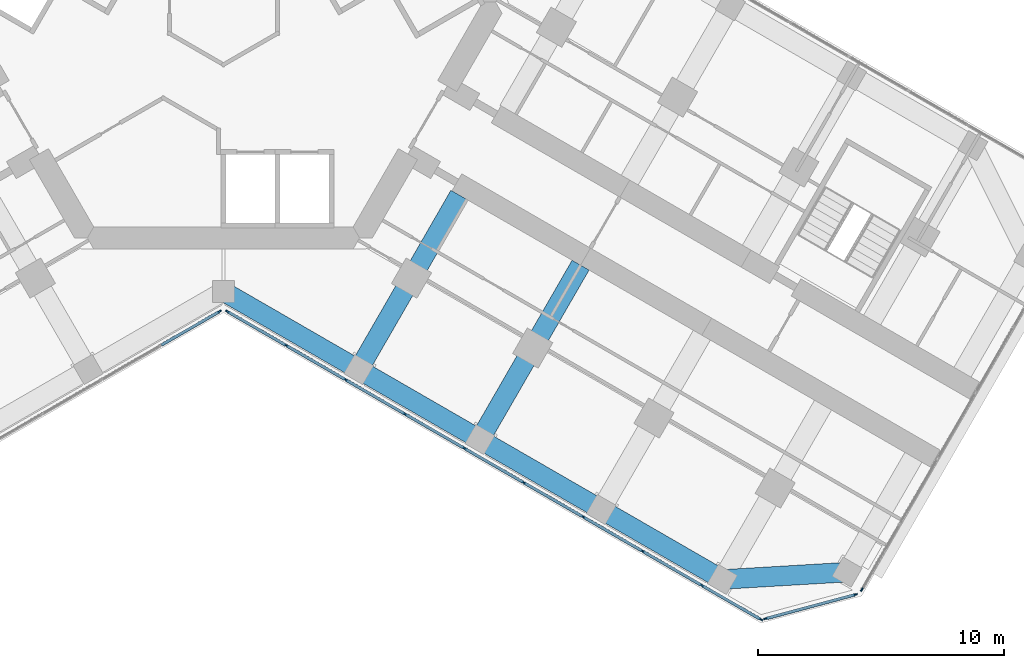
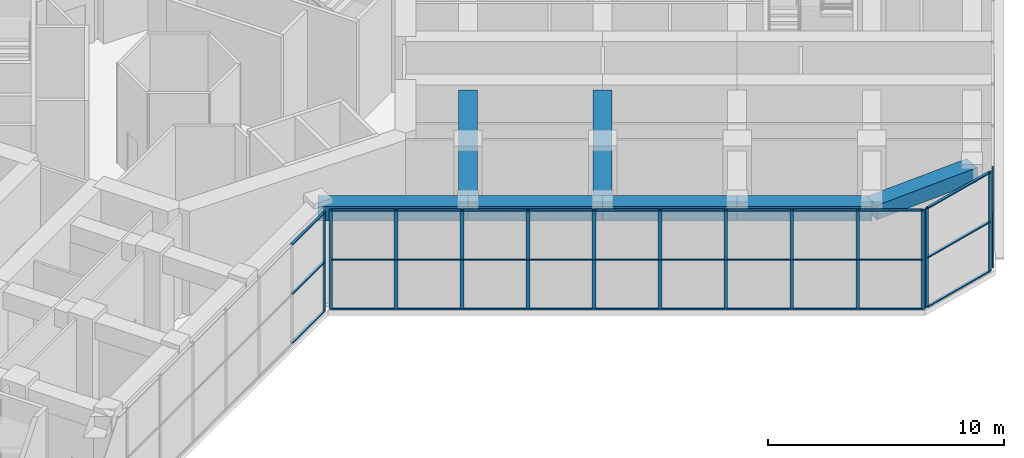
# One storey, part 5 of 20: 47 members, 7 beams, 4 elements without a shape of their own.
"""IFC4 building model written with IfcOpenShell, lengths in metres."""

import ifcopenshell
import ifcopenshell.guid

model = None  # the IFC model being written
_history = None  # IfcOwnerHistory: only IFC2X3 demands one
_inside = {}  # id of a spatial element -> (the spatial element, [elements in it])
_under = {}  # id of a project, library or spatial element -> (it, [spatial elements below it])
_declared = {}  # id of a project -> (the project, [libraries it declares])
_typed = {}  # id of a type object -> (the type object, [elements of that type])
_made_of = {}  # id of a material, layer set ... -> (it, [elements and type objects made of it])


def new_model(schema):
    """Start an empty IFC model of exactly this schema.

    Asked for "IFC4X3", IfcOpenShell would pick the latest addendum, in which some entities
    have other attributes; the version numbers below select the first issue.
    IFC2X3 requires an IfcOwnerHistory on every rooted entity: one is made here for all.
    """
    global model, _history
    if schema == "IFC4X3":
        model = ifcopenshell.file(schema_version=(4, 3, 0, 0))
    else:
        model = ifcopenshell.file(schema=schema)
    _inside.clear()
    _under.clear()
    _declared.clear()
    _typed.clear()
    _made_of.clear()
    _history = None
    if model.schema == "IFC2X3":
        org = make("IfcOrganization", Name="unknown")
        user = make(
            "IfcPersonAndOrganization",
            ThePerson=make("IfcPerson", FamilyName="unknown"),
            TheOrganization=org,
        )
        app = make(
            "IfcApplication",
            ApplicationDeveloper=org,
            Version="unknown",
            ApplicationFullName="unknown",
            ApplicationIdentifier="unknown",
        )
        _history = make(
            "IfcOwnerHistory",
            OwningUser=user,
            OwningApplication=app,
            ChangeAction="ADDED",
            CreationDate=0,
        )
    return model


def make(cls, **values):
    """One entity of the class cls with the attributes given. An attribute that is None is left unset."""
    return model.create_entity(
        cls, **{name: value for name, value in values.items() if value is not None}
    )


def rooted(cls, **values):
    """An entity with a GlobalId (a new one), such as an element, a storey or a relation."""
    return make(cls, GlobalId=ifcopenshell.guid.new(), OwnerHistory=_history, **values)


def si_unit(unit_type, name, prefix=None):
    """IfcSIUnit, for example si_unit("LENGTHUNIT", "METRE", prefix="MILLI")."""
    return make("IfcSIUnit", UnitType=unit_type, Prefix=prefix, Name=name)


def assignment(units):
    """IfcUnitAssignment: the units of a project."""
    return None if units is None else make("IfcUnitAssignment", Units=units)


def point(xyz):
    """IfcCartesianPoint."""
    return None if xyz is None else make("IfcCartesianPoint", Coordinates=xyz)


def direction(xyz):
    """IfcDirection."""
    return None if xyz is None else make("IfcDirection", DirectionRatios=xyz)


def frame(location, z_axis=None, x_axis=None):
    """IfcAxis2Placement3D, a coordinate frame: its origin and axes. An axis left out is left unset."""
    return make(
        "IfcAxis2Placement3D",
        Location=point(location),
        Axis=direction(z_axis),
        RefDirection=direction(x_axis),
    )


def frame_2d(location, x_axis=None):
    """IfcAxis2Placement2D, a coordinate frame in the plane: its origin and x axis."""
    return make(
        "IfcAxis2Placement2D", Location=point(location), RefDirection=direction(x_axis)
    )


def origin():
    """The frame at (0, 0, 0) with its axes left unset."""
    return frame((0.0, 0.0, 0.0))


def origin_2d():
    """The frame at (0, 0) in the plane with its x axis left unset."""
    return frame_2d((0.0, 0.0))


def place(relative_to, where):
    """IfcLocalPlacement: puts the frame where relative to a parent placement (None: the world)."""
    return make(
        "IfcLocalPlacement", PlacementRelTo=relative_to, RelativePlacement=where
    )


def context(
    kind, dimensions, precision=None, world=None, true_north=None, identifier=None
):
    """IfcGeometricRepresentationContext, for example the 3D "Model" context."""
    return make(
        "IfcGeometricRepresentationContext",
        ContextIdentifier=identifier,
        ContextType=kind,
        CoordinateSpaceDimension=dimensions,
        Precision=precision,
        WorldCoordinateSystem=world,
        TrueNorth=true_north,
    )


def subcontext(parent, identifier, kind, view, scale=None):
    """IfcGeometricRepresentationSubContext, for example "Body" below "Model"."""
    return make(
        "IfcGeometricRepresentationSubContext",
        ContextIdentifier=identifier,
        ContextType=kind,
        ParentContext=parent,
        TargetScale=scale,
        TargetView=view,
    )


def project(units=None, contexts=None):
    """IfcProject with its units and contexts."""
    return rooted(
        "IfcProject",
        Name="project",
        RepresentationContexts=contexts,
        UnitsInContext=assignment(units),
    )


def spatial(cls, under=None, at=None, **own):
    """A site, building, storey or space (cls), placed at a placement, below another one or the project."""
    s = rooted(cls, ObjectPlacement=at, **own)
    if under is not None:
        _under.setdefault(under.id(), (under, []))[1].append(s)
    return s


def profile(cls, at=None, kind="AREA", **sizes):
    """A parametric profile (cls). Its sizes go by their IFC names, for example OverallWidth=200.0."""
    return make(cls, ProfileType=kind, Position=at, **sizes)


def rectangle(**sizes):
    """IfcRectangleProfileDef."""
    return profile("IfcRectangleProfileDef", **sizes)


def extrude(swept, where, along, depth):
    """IfcExtrudedAreaSolid: the profile swept, set in the frame where, extruded along a direction by depth."""
    return make(
        "IfcExtrudedAreaSolid",
        SweptArea=swept,
        Position=where,
        ExtrudedDirection=direction(along),
        Depth=depth,
    )


def shape(context_of_items, identifier, shape_type, items):
    """IfcShapeRepresentation: the items that make up one representation, for example the "Body"."""
    return make(
        "IfcShapeRepresentation",
        ContextOfItems=context_of_items,
        RepresentationIdentifier=identifier,
        RepresentationType=shape_type,
        Items=items,
    )


def material(Name=None, Category=None):
    """IfcMaterial."""
    return make("IfcMaterial", Name=Name, Category=Category)


def material_profile(
    of_material, cross_section, Name=None, Category=None, Priority=None
):
    """IfcMaterialProfile: a cross section and its material."""
    return make(
        "IfcMaterialProfile",
        Name=Name,
        Material=of_material,
        Profile=cross_section,
        Priority=Priority,
        Category=Category,
    )


def profile_set(profiles, Name=None, composite=None):
    """IfcMaterialProfileSet."""
    return make(
        "IfcMaterialProfileSet",
        Name=Name,
        MaterialProfiles=profiles,
        CompositeProfile=composite,
    )


def made_of(thing, what):
    """Note that an element or type object is made of a material, layer set ...; save() writes the relation."""
    if what is not None:
        _made_of.setdefault(what.id(), (what, []))[1].append(thing)
    return thing


def type_object(cls, material=None, **own):
    """A type object (cls), such as IfcWallType, which elements share."""
    return made_of(rooted(cls, **own), material)


def element(
    cls,
    number,
    at=None,
    inside=None,
    cuts=None,
    type_object=None,
    material=None,
    context=None,
    identifier="Body",
    shape_type=None,
    held_by="IfcProductDefinitionShape",
    body=None,
    shapes=None,
    **own,
):
    """One element of the class cls, such as IfcWall. Its Tag is "e" and its number.

    at: its placement. inside: the storey or other place that contains it. cuts: it is an
    opening in that element (IfcRelVoidsElement). A single representation is given by context,
    identifier, shape_type and body (its items); several are given by shapes. held_by: the class
    of the entity that holds the representations. save() writes the other relations.
    """
    e = rooted(cls, Tag="e%d" % number, ObjectPlacement=at, **own)
    if body is not None:
        shapes = [shape(context, identifier, shape_type, body)]
    if shapes is not None:
        e.Representation = make(held_by, Representations=shapes)
    if inside is not None:
        _inside.setdefault(inside.id(), (inside, []))[1].append(e)
    if cuts is not None:
        rooted(
            "IfcRelVoidsElement", RelatingBuildingElement=cuts, RelatedOpeningElement=e
        )
    if type_object is not None:
        _typed.setdefault(type_object.id(), (type_object, []))[1].append(e)
    return made_of(e, material)


def aggregate(whole, parts):
    """IfcRelAggregates: a whole, such as a stair, and the parts it consists of."""
    return rooted("IfcRelAggregates", RelatingObject=whole, RelatedObjects=parts)


def save(model, path):
    """Write the relations noted so far, then the file.

    IfcRelAggregates (storeys below a building ...), IfcRelContainedInSpatialStructure (elements
    in a storey), IfcRelDefinesByType, IfcRelAssociatesMaterial and IfcRelDeclares: one each for
    every whole, place, type object, material and project.
    """
    for whole, parts in _under.values():
        aggregate(whole, parts)
    for where, things in _inside.values():
        rooted(
            "IfcRelContainedInSpatialStructure",
            RelatedElements=things,
            RelatingStructure=where,
        )
    for kind, things in _typed.values():
        rooted("IfcRelDefinesByType", RelatedObjects=things, RelatingType=kind)
    for what, things in _made_of.values():
        rooted("IfcRelAssociatesMaterial", RelatedObjects=things, RelatingMaterial=what)
    for by, libraries in _declared.values():
        rooted("IfcRelDeclares", RelatingContext=by, RelatedDefinitions=libraries)
    model.write(path)


model = new_model("IFC4")

# Units and contexts
model_context = context("Model", 3, precision=1e-05, world=origin(), true_north=direction((0.0, 1.0)))
body_context = subcontext(model_context, "Body", "Model", "MODEL_VIEW")
ifc_project = project(units=[si_unit("LENGTHUNIT", "METRE"), si_unit("AREAUNIT", "SQUARE_METRE"), si_unit("VOLUMEUNIT", "CUBIC_METRE"), si_unit("PLANEANGLEUNIT", "RADIAN"), si_unit("MASSUNIT", "GRAM", prefix="KILO")], contexts=[model_context])

# Site, building, storey
site_placement = place(None, origin())
site = spatial("IfcSite", under=ifc_project, at=site_placement, CompositionType="ELEMENT")
building_placement = place(site_placement, origin())
building = spatial("IfcBuilding", under=site, at=building_placement, Name="Kosmar Iwan School Tower", CompositionType="ELEMENT")
storey_placement = place(building_placement, frame((0.0, 0.0, 152.60009765625)))
storey = spatial("IfcBuildingStorey", under=building, at=storey_placement, Name="L38", CompositionType="ELEMENT", Elevation=152.60009765625)

# Curtain wall, member
ifc_material_1 = material(Name="Dark glass in black aluminium frame", Category="aluminium")
curtain_wall_type_1 = type_object("IfcCurtainWallType", Name="Winter garden curtain wall", PredefinedType="USERDEFINED", material=ifc_material_1)
curtain_wall_1_placement = place(storey_placement, origin())
curtain_wall_1 = element("IfcCurtainWall", 1, at=curtain_wall_1_placement, inside=storey, type_object=curtain_wall_type_1, Name="Curtain wall L38-F00", ObjectType="WINTER GARDEN CURTAIN WALL", PredefinedType="USERDEFINED")
ifc_material_2 = material(Name="Black anodised aluminium", Category="aluminium")
ifc_material_profile_1 = material_profile(ifc_material_2, rectangle(XDim=0.06005859375, YDim=0.159912109375, at=origin_2d()), Name="MULLION 60x160")
ifc_profile_set_1 = profile_set([ifc_material_profile_1], Name="Black anodised aluminium")
member_type_1 = type_object("IfcMemberType", Name="Mullion 60x160", PredefinedType="MULLION", material=ifc_profile_set_1)
member_1_placement = place(storey_placement, frame((-0.163818359375, -12.59423828125, 0.0), z_axis=(0.0, 0.0, 1.0), x_axis=(0.500000014888, -0.866025395189, 0.0)))
member_1 = element("IfcMember", 2, at=member_1_placement, type_object=member_type_1, Name="CW7 mullion 1", PredefinedType="MULLION", context=body_context, shape_type="SweptSolid", body=[
    extrude(rectangle(XDim=0.06005859375, YDim=0.159912109375, at=origin_2d()), origin(), (0.0, 0.0, 1.0), 5.14990234375),
])

# Curtain wall, members
curtain_wall_2_placement = place(storey_placement, origin())
curtain_wall_2 = element("IfcCurtainWall", 3, at=curtain_wall_2_placement, inside=storey, type_object=curtain_wall_type_1, Name="Curtain wall L38-F01", ObjectType="WINTER GARDEN CURTAIN WALL", PredefinedType="USERDEFINED")
member_2_placement = place(storey_placement, frame((0.163818359375, -12.59423828125, 0.0), z_axis=(0.0, 0.0, 1.0), x_axis=(0.500000014888, 0.866025395189, 0.0)))
member_2 = element("IfcMember", 4, at=member_2_placement, type_object=member_type_1, Name="CW7 mullion 1", PredefinedType="MULLION", context=body_context, shape_type="SweptSolid", body=[
    extrude(rectangle(XDim=0.06005859375, YDim=0.159912109375, at=origin_2d()), origin(), (0.0, 0.0, 1.0), 5.14990234375),
])
member_3_placement = place(storey_placement, frame((2.556884765625, -13.975830078125, 0.0), z_axis=(0.0, 0.0, 1.0), x_axis=(0.500000014888, 0.866025395189, 0.0)))
member_3 = element("IfcMember", 5, at=member_3_placement, type_object=member_type_1, Name="CW7 mullion 2", PredefinedType="MULLION", context=body_context, shape_type="SweptSolid", body=[
    extrude(rectangle(XDim=0.06005859375, YDim=0.159912109375, at=origin_2d()), origin(), (0.0, 0.0, 1.0), 5.14990234375),
])
member_4_placement = place(storey_placement, frame((4.975830078125, -15.37255859375, 0.0), z_axis=(0.0, 0.0, 1.0), x_axis=(0.500000014888, 0.866025395189, 0.0)))
member_4 = element("IfcMember", 6, at=member_4_placement, type_object=member_type_1, Name="CW7 mullion 3", PredefinedType="MULLION", context=body_context, shape_type="SweptSolid", body=[
    extrude(rectangle(XDim=0.06005859375, YDim=0.159912109375, at=origin_2d()), origin(), (0.0, 0.0, 1.0), 5.14990234375),
])
member_5_placement = place(storey_placement, frame((7.39501953125, -16.76904296875, 0.0), z_axis=(0.0, 0.0, 1.0), x_axis=(0.500000014888, 0.866025395189, 0.0)))
member_5 = element("IfcMember", 7, at=member_5_placement, type_object=member_type_1, Name="CW7 mullion 4", PredefinedType="MULLION", context=body_context, shape_type="SweptSolid", body=[
    extrude(rectangle(XDim=0.06005859375, YDim=0.159912109375, at=origin_2d()), origin(), (0.0, 0.0, 1.0), 5.14990234375),
])
member_6_placement = place(storey_placement, frame((9.81396484375, -18.165771484375, 0.0), z_axis=(0.0, 0.0, 1.0), x_axis=(0.500000014888, 0.866025395189, 0.0)))
member_6 = element("IfcMember", 8, at=member_6_placement, type_object=member_type_1, Name="CW7 mullion 5", PredefinedType="MULLION", context=body_context, shape_type="SweptSolid", body=[
    extrude(rectangle(XDim=0.06005859375, YDim=0.159912109375, at=origin_2d()), origin(), (0.0, 0.0, 1.0), 5.14990234375),
])
member_7_placement = place(storey_placement, frame((12.23291015625, -19.562255859375, 0.0), z_axis=(0.0, 0.0, 1.0), x_axis=(0.500000014888, 0.866025395189, 0.0)))
member_7 = element("IfcMember", 9, at=member_7_placement, type_object=member_type_1, Name="CW7 mullion 6", PredefinedType="MULLION", context=body_context, shape_type="SweptSolid", body=[
    extrude(rectangle(XDim=0.06005859375, YDim=0.159912109375, at=origin_2d()), origin(), (0.0, 0.0, 1.0), 5.14990234375),
])
member_8_placement = place(storey_placement, frame((14.652099609375, -20.958984375, 0.0), z_axis=(0.0, 0.0, 1.0), x_axis=(0.500000014888, 0.866025395189, 0.0)))
member_8 = element("IfcMember", 10, at=member_8_placement, type_object=member_type_1, Name="CW7 mullion 7", PredefinedType="MULLION", context=body_context, shape_type="SweptSolid", body=[
    extrude(rectangle(XDim=0.06005859375, YDim=0.159912109375, at=origin_2d()), origin(), (0.0, 0.0, 1.0), 5.14990234375),
])
member_9_placement = place(storey_placement, frame((17.071044921875, -22.35546875, 0.0), z_axis=(0.0, 0.0, 1.0), x_axis=(0.500000014888, 0.866025395189, 0.0)))
member_9 = element("IfcMember", 11, at=member_9_placement, type_object=member_type_1, Name="CW7 mullion 8", PredefinedType="MULLION", context=body_context, shape_type="SweptSolid", body=[
    extrude(rectangle(XDim=0.06005859375, YDim=0.159912109375, at=origin_2d()), origin(), (0.0, 0.0, 1.0), 5.14990234375),
])
member_10_placement = place(storey_placement, frame((19.489990234375, -23.752197265625, 0.0), z_axis=(0.0, 0.0, 1.0), x_axis=(0.500000014888, 0.866025395189, 0.0)))
member_10 = element("IfcMember", 12, at=member_10_placement, type_object=member_type_1, Name="CW7 mullion 9", PredefinedType="MULLION", context=body_context, shape_type="SweptSolid", body=[
    extrude(rectangle(XDim=0.06005859375, YDim=0.159912109375, at=origin_2d()), origin(), (0.0, 0.0, 1.0), 5.14990234375),
])
member_11_placement = place(storey_placement, frame((21.883056640625, -25.1337890625, 0.0), z_axis=(0.0, 0.0, 1.0), x_axis=(0.500000014888, 0.866025395189, 0.0)))
member_11 = element("IfcMember", 13, at=member_11_placement, type_object=member_type_1, Name="CW7 mullion 10", PredefinedType="MULLION", context=body_context, shape_type="SweptSolid", body=[
    extrude(rectangle(XDim=0.06005859375, YDim=0.159912109375, at=origin_2d()), origin(), (0.0, 0.0, 1.0), 5.14990234375),
])

ifc_material_3 = material(Name="Dark glass in black aluminium frame", Category="aluminium")
curtain_wall_type_2 = type_object("IfcCurtainWallType", Name="Chamfer curtain wall dark glass", PredefinedType="USERDEFINED", material=ifc_material_3)
curtain_wall_3_placement = place(storey_placement, origin())
curtain_wall_3 = element("IfcCurtainWall", 14, at=curtain_wall_3_placement, inside=storey, type_object=curtain_wall_type_2, Name="Curtain wall L38-F02", ObjectType="FACETED CURTAIN WALL", PredefinedType="USERDEFINED")
member_12_placement = place(storey_placement, frame((22.0830078125, -25.102294921875, 0.0), z_axis=(0.0, 0.0, 1.0), x_axis=(-0.258818861462, 0.965925875495, 0.0)))
member_12 = element("IfcMember", 15, at=member_12_placement, type_object=member_type_1, Name="CW2 mullion 1", PredefinedType="MULLION", context=body_context, shape_type="SweptSolid", body=[
    extrude(rectangle(XDim=0.06005859375, YDim=0.159912109375, at=origin_2d()), origin(), (0.0, 0.0, 1.0), 5.14990234375),
])
member_13_placement = place(storey_placement, frame((25.733154296875, -24.124267578125, 0.0), z_axis=(0.0, 0.0, 1.0), x_axis=(-0.258818861462, 0.965925875495, 0.0)))
member_13 = element("IfcMember", 16, at=member_13_placement, type_object=member_type_1, Name="CW2 mullion 2", PredefinedType="MULLION", context=body_context, shape_type="SweptSolid", body=[
    extrude(rectangle(XDim=0.06005859375, YDim=0.159912109375, at=origin_2d()), origin(), (0.0, 0.0, 1.0), 5.14990234375),
])

# Curtain wall, member
ifc_material_4 = material(Name="Dark glass in black aluminium frame", Category="aluminium")
curtain_wall_type_3 = type_object("IfcCurtainWallType", Name="Tower curtain wall dark glass", PredefinedType="USERDEFINED", material=ifc_material_4)
curtain_wall_4_placement = place(storey_placement, origin())
curtain_wall_4 = element("IfcCurtainWall", 17, at=curtain_wall_4_placement, inside=storey, type_object=curtain_wall_type_3, Name="Curtain wall L38-F03", ObjectType="UNITISED CURTAIN WALL", PredefinedType="USERDEFINED")
member_14_placement = place(storey_placement, frame((25.9970703125, -23.921630859375, 0.0), z_axis=(0.0, 0.0, 1.0), x_axis=(-0.866025405329, 0.499999997325, 0.0)))
member_14 = element("IfcMember", 18, at=member_14_placement, type_object=member_type_1, Name="CW1 mullion 1", PredefinedType="MULLION", context=body_context, shape_type="SweptSolid", body=[
    extrude(rectangle(XDim=0.06005859375, YDim=0.159912109375, at=origin_2d()), origin(), (0.0, 0.0, 1.0), 5.14990234375),
])
aggregate(curtain_wall_4, [member_14])

# Beams
ifc_material_5 = material(Name="Concrete C50/60", Category="concrete")
ifc_material_profile_2 = material_profile(ifc_material_5, rectangle(XDim=0.800048828125, YDim=0.75, at=origin_2d()), Name="RC 800x750")
ifc_profile_set_2 = profile_set([ifc_material_profile_2], Name="Concrete C50/60")
beam_type_1 = type_object("IfcBeamType", Name="RC edge beam 800x750", PredefinedType="BEAM", material=ifc_profile_set_2)
beam_1_placement = place(storey_placement, frame((0.0, -11.77783203125, 4.77490234375), z_axis=(0.866014293216, -0.500019243575, 0.0), x_axis=(0.500019243575, 0.866014293216, 0.0)))
element("IfcBeam", 19, at=beam_1_placement, inside=storey, type_object=beam_type_1, Name="Edge beam CR1", PredefinedType="BEAM", context=body_context, shape_type="SweptSolid", body=[
    extrude(rectangle(XDim=0.800048828125, YDim=0.75, at=origin_2d()), origin(), (0.0, 0.0, 1.0), 6.361083984375),
])
beam_2_placement = place(storey_placement, frame((5.5087890625, -14.95849609375, 4.77490234375), z_axis=(0.866033658841, -0.49998570155, 0.0), x_axis=(0.49998570155, 0.866033658841, 0.0)))
element("IfcBeam", 20, at=beam_2_placement, inside=storey, type_object=beam_type_1, Name="Edge beam CR2", PredefinedType="BEAM", context=body_context, shape_type="SweptSolid", body=[
    extrude(rectangle(XDim=0.800048828125, YDim=0.75, at=origin_2d()), origin(), (0.0, 0.0, 1.0), 5.699951171875),
])
beam_3_placement = place(storey_placement, frame((10.445068359375, -17.808349609375, 4.77490234375), z_axis=(0.866025820012, -0.499999279071, 0.0), x_axis=(0.499999279071, 0.866025820012, 0.0)))
element("IfcBeam", 21, at=beam_3_placement, inside=storey, type_object=beam_type_1, Name="Edge beam CR3", PredefinedType="BEAM", context=body_context, shape_type="SweptSolid", body=[
    extrude(rectangle(XDim=0.800048828125, YDim=0.75, at=origin_2d()), origin(), (0.0, 0.0, 1.0), 5.7001953125),
])
beam_4_placement = place(storey_placement, frame((15.381591796875, -20.658447265625, 4.77490234375), z_axis=(0.866015111908, -0.50001782563, 0.0), x_axis=(0.50001782563, 0.866015111908, 0.0)))
element("IfcBeam", 22, at=beam_4_placement, inside=storey, type_object=beam_type_1, Name="Edge beam CR4", PredefinedType="BEAM", context=body_context, shape_type="SweptSolid", body=[
    extrude(rectangle(XDim=0.800048828125, YDim=0.75, at=origin_2d()), origin(), (0.0, 0.0, 1.0), 5.699951171875),
])
ifc_material_6 = material(Name="Concrete C50/60", Category="concrete")
ifc_material_profile_3 = material_profile(ifc_material_6, rectangle(XDim=0.800048828125, YDim=0.75, at=origin_2d()), Name="RC 800x750")
ifc_profile_set_3 = profile_set([ifc_material_profile_3], Name="Concrete C50/60")
beam_type_2 = type_object("IfcBeamType", Name="RC tip beam 800x750", PredefinedType="BEAM", material=ifc_profile_set_3)
beam_5_placement = place(storey_placement, frame((20.31787109375, -23.508544921875, 4.77490234375), z_axis=(0.998260616478, 0.058955420358, 0.0), x_axis=(-0.058955420358, 0.998260616478, 0.0)))
element("IfcBeam", 23, at=beam_5_placement, inside=storey, type_object=beam_type_2, Name="Tip beam CR", PredefinedType="BEAM", context=body_context, shape_type="SweptSolid", body=[
    extrude(rectangle(XDim=0.800048828125, YDim=0.75, at=origin_2d()), origin(), (0.0, 0.0, 1.0), 5.08935546875),
])
ifc_material_7 = material(Name="Concrete C50/60", Category="concrete")
ifc_material_profile_4 = material_profile(ifc_material_7, rectangle(XDim=0.800048828125, YDim=0.89990234375, at=origin_2d()), Name="RC 800x900")
ifc_profile_set_4 = profile_set([ifc_material_profile_4], Name="Concrete C50/60")
beam_type_3 = type_object("IfcBeamType", Name="RC transverse beam 800x900", PredefinedType="BEAM", material=ifc_profile_set_4)
beam_6_placement = place(storey_placement, frame((5.5087890625, -14.95849609375, 4.699951171875), z_axis=(0.500000789788, 0.8660249478, 0.0), x_axis=(-0.8660249478, 0.500000789788, 0.0)))
element("IfcBeam", 24, at=beam_6_placement, inside=storey, type_object=beam_type_3, Name="Transverse beam CR1", PredefinedType="BEAM", context=body_context, shape_type="SweptSolid", body=[
    extrude(rectangle(XDim=0.800048828125, YDim=0.89990234375, at=origin_2d()), origin(), (0.0, 0.0, 1.0), 8.2001953125),
])
beam_7_placement = place(storey_placement, frame((10.445068359375, -17.808349609375, 4.699951171875), z_axis=(0.500013681986, 0.866017504342, 0.0), x_axis=(-0.866017504342, 0.500013681986, 0.0)))
element("IfcBeam", 25, at=beam_7_placement, inside=storey, type_object=beam_type_3, Name="Transverse beam CR2", PredefinedType="BEAM", context=body_context, shape_type="SweptSolid", body=[
    extrude(rectangle(XDim=0.800048828125, YDim=0.89990234375, at=origin_2d()), origin(), (0.0, 0.0, 1.0), 8.199951171875),
])

# Member
ifc_material_8 = material(Name="Black anodised aluminium", Category="aluminium")
ifc_material_profile_5 = material_profile(ifc_material_8, rectangle(XDim=0.1201171875, YDim=0.06005859375, at=origin_2d()), Name="TRANSOM 60x120")
ifc_profile_set_5 = profile_set([ifc_material_profile_5], Name="Black anodised aluminium")
member_type_2 = type_object("IfcMemberType", Name="Transom 60x120", PredefinedType="USERDEFINED", material=ifc_profile_set_5)
member_15_placement = place(storey_placement, frame((-0.189697265625, -12.609130859375, 0.02978515625), z_axis=(-0.865994576166, -0.500053391201, 0.0), x_axis=(0.500053391201, -0.865994576166, 0.0)))
member_15 = element("IfcMember", 26, at=member_15_placement, type_object=member_type_2, Name="CW7 transom 1.1", ObjectType="TRANSOM", PredefinedType="USERDEFINED", context=body_context, shape_type="SweptSolid", body=[
    extrude(rectangle(XDim=0.1201171875, YDim=0.06005859375, at=origin_2d()), origin(), (0.0, 0.0, 1.0), 2.703369140625),
])

member_16_placement = place(storey_placement, frame((-0.189697265625, -12.609130859375, 2.574951171875), z_axis=(-0.865994576166, -0.500053391201, 0.0), x_axis=(0.500053391201, -0.865994576166, 0.0)))
member_16 = element("IfcMember", 27, at=member_16_placement, type_object=member_type_2, Name="CW7 transom 1.2", ObjectType="TRANSOM", PredefinedType="USERDEFINED", context=body_context, shape_type="SweptSolid", body=[
    extrude(rectangle(XDim=0.1201171875, YDim=0.06005859375, at=origin_2d()), origin(), (0.0, 0.0, 1.0), 2.703369140625),
])

member_17_placement = place(storey_placement, frame((-0.189697265625, -12.609130859375, 5.119873046875), z_axis=(-0.865994576166, -0.500053391201, 0.0), x_axis=(0.500053391201, -0.865994576166, 0.0)))
member_17 = element("IfcMember", 28, at=member_17_placement, type_object=member_type_2, Name="CW7 transom 1.3", ObjectType="TRANSOM", PredefinedType="USERDEFINED", context=body_context, shape_type="SweptSolid", body=[
    extrude(rectangle(XDim=0.1201171875, YDim=0.06005859375, at=origin_2d()), origin(), (0.0, 0.0, 1.0), 2.703369140625),
])

aggregate(curtain_wall_1, [member_1, member_15, member_16, member_17])

member_18_placement = place(storey_placement, frame((0.189697265625, -12.609130859375, 0.02978515625), z_axis=(0.865994576166, -0.500053391201, 0.0), x_axis=(0.500053391201, 0.865994576166, 0.0)))
member_18 = element("IfcMember", 29, at=member_18_placement, type_object=member_type_2, Name="CW7 transom 1.1", ObjectType="TRANSOM", PredefinedType="USERDEFINED", context=body_context, shape_type="SweptSolid", body=[
    extrude(rectangle(XDim=0.1201171875, YDim=0.06005859375, at=origin_2d()), origin(), (0.0, 0.0, 1.0), 2.703369140625),
])

member_19_placement = place(storey_placement, frame((0.189697265625, -12.609130859375, 2.574951171875), z_axis=(0.865994576166, -0.500053391201, 0.0), x_axis=(0.500053391201, 0.865994576166, 0.0)))
member_19 = element("IfcMember", 30, at=member_19_placement, type_object=member_type_2, Name="CW7 transom 1.2", ObjectType="TRANSOM", PredefinedType="USERDEFINED", context=body_context, shape_type="SweptSolid", body=[
    extrude(rectangle(XDim=0.1201171875, YDim=0.06005859375, at=origin_2d()), origin(), (0.0, 0.0, 1.0), 2.703369140625),
])

member_20_placement = place(storey_placement, frame((0.189697265625, -12.609130859375, 5.119873046875), z_axis=(0.865994576166, -0.500053391201, 0.0), x_axis=(0.500053391201, 0.865994576166, 0.0)))
member_20 = element("IfcMember", 31, at=member_20_placement, type_object=member_type_2, Name="CW7 transom 1.3", ObjectType="TRANSOM", PredefinedType="USERDEFINED", context=body_context, shape_type="SweptSolid", body=[
    extrude(rectangle(XDim=0.1201171875, YDim=0.06005859375, at=origin_2d()), origin(), (0.0, 0.0, 1.0), 2.703369140625),
])

member_21_placement = place(storey_placement, frame((2.582763671875, -13.99072265625, 0.02978515625), z_axis=(0.8660249478, -0.500000789788, 0.0), x_axis=(0.500000789788, 0.8660249478, 0.0)))
member_21 = element("IfcMember", 32, at=member_21_placement, type_object=member_type_2, Name="CW7 transom 2.1", ObjectType="TRANSOM", PredefinedType="USERDEFINED", context=body_context, shape_type="SweptSolid", body=[
    extrude(rectangle(XDim=0.1201171875, YDim=0.06005859375, at=origin_2d()), origin(), (0.0, 0.0, 1.0), 2.7333984375),
])

member_22_placement = place(storey_placement, frame((2.582763671875, -13.99072265625, 2.574951171875), z_axis=(0.8660249478, -0.500000789788, 0.0), x_axis=(0.500000789788, 0.8660249478, 0.0)))
member_22 = element("IfcMember", 33, at=member_22_placement, type_object=member_type_2, Name="CW7 transom 2.2", ObjectType="TRANSOM", PredefinedType="USERDEFINED", context=body_context, shape_type="SweptSolid", body=[
    extrude(rectangle(XDim=0.1201171875, YDim=0.06005859375, at=origin_2d()), origin(), (0.0, 0.0, 1.0), 2.7333984375),
])

member_23_placement = place(storey_placement, frame((2.582763671875, -13.99072265625, 5.119873046875), z_axis=(0.8660249478, -0.500000789788, 0.0), x_axis=(0.500000789788, 0.8660249478, 0.0)))
member_23 = element("IfcMember", 34, at=member_23_placement, type_object=member_type_2, Name="CW7 transom 2.3", ObjectType="TRANSOM", PredefinedType="USERDEFINED", context=body_context, shape_type="SweptSolid", body=[
    extrude(rectangle(XDim=0.1201171875, YDim=0.06005859375, at=origin_2d()), origin(), (0.0, 0.0, 1.0), 2.7333984375),
])

member_24_placement = place(storey_placement, frame((5.001953125, -15.387451171875, 0.02978515625), z_axis=(0.866002615699, -0.500039468044, 0.0), x_axis=(0.500039468044, 0.866002615699, 0.0)))
member_24 = element("IfcMember", 35, at=member_24_placement, type_object=member_type_2, Name="CW7 transom 3.1", ObjectType="TRANSOM", PredefinedType="USERDEFINED", context=body_context, shape_type="SweptSolid", body=[
    extrude(rectangle(XDim=0.1201171875, YDim=0.06005859375, at=origin_2d()), origin(), (0.0, 0.0, 1.0), 2.733154296875),
])

member_25_placement = place(storey_placement, frame((5.001953125, -15.387451171875, 2.574951171875), z_axis=(0.866002615699, -0.500039468044, 0.0), x_axis=(0.500039468044, 0.866002615699, 0.0)))
member_25 = element("IfcMember", 36, at=member_25_placement, type_object=member_type_2, Name="CW7 transom 3.2", ObjectType="TRANSOM", PredefinedType="USERDEFINED", context=body_context, shape_type="SweptSolid", body=[
    extrude(rectangle(XDim=0.1201171875, YDim=0.06005859375, at=origin_2d()), origin(), (0.0, 0.0, 1.0), 2.733154296875),
])

member_26_placement = place(storey_placement, frame((5.001953125, -15.387451171875, 5.119873046875), z_axis=(0.866002615699, -0.500039468044, 0.0), x_axis=(0.500039468044, 0.866002615699, 0.0)))
member_26 = element("IfcMember", 37, at=member_26_placement, type_object=member_type_2, Name="CW7 transom 3.3", ObjectType="TRANSOM", PredefinedType="USERDEFINED", context=body_context, shape_type="SweptSolid", body=[
    extrude(rectangle(XDim=0.1201171875, YDim=0.06005859375, at=origin_2d()), origin(), (0.0, 0.0, 1.0), 2.733154296875),
])

member_27_placement = place(storey_placement, frame((7.4208984375, -16.7841796875, 0.02978515625), z_axis=(0.866041295585, -0.499972473583, 0.0), x_axis=(0.499972473583, 0.866041295585, 0.0)))
member_27 = element("IfcMember", 38, at=member_27_placement, type_object=member_type_2, Name="CW7 transom 4.1", ObjectType="TRANSOM", PredefinedType="USERDEFINED", context=body_context, shape_type="SweptSolid", body=[
    extrude(rectangle(XDim=0.1201171875, YDim=0.06005859375, at=origin_2d()), origin(), (0.0, 0.0, 1.0), 2.733154296875),
])

member_28_placement = place(storey_placement, frame((7.4208984375, -16.7841796875, 2.574951171875), z_axis=(0.866041295585, -0.499972473583, 0.0), x_axis=(0.499972473583, 0.866041295585, 0.0)))
member_28 = element("IfcMember", 39, at=member_28_placement, type_object=member_type_2, Name="CW7 transom 4.2", ObjectType="TRANSOM", PredefinedType="USERDEFINED", context=body_context, shape_type="SweptSolid", body=[
    extrude(rectangle(XDim=0.1201171875, YDim=0.06005859375, at=origin_2d()), origin(), (0.0, 0.0, 1.0), 2.733154296875),
])

member_29_placement = place(storey_placement, frame((7.4208984375, -16.7841796875, 5.119873046875), z_axis=(0.866041295585, -0.499972473583, 0.0), x_axis=(0.499972473583, 0.866041295585, 0.0)))
member_29 = element("IfcMember", 40, at=member_29_placement, type_object=member_type_2, Name="CW7 transom 4.3", ObjectType="TRANSOM", PredefinedType="USERDEFINED", context=body_context, shape_type="SweptSolid", body=[
    extrude(rectangle(XDim=0.1201171875, YDim=0.06005859375, at=origin_2d()), origin(), (0.0, 0.0, 1.0), 2.733154296875),
])

member_30_placement = place(storey_placement, frame((9.83984375, -18.1806640625, 0.02978515625), z_axis=(0.8660249478, -0.500000789788, 0.0), x_axis=(0.500000789788, 0.8660249478, 0.0)))
member_30 = element("IfcMember", 41, at=member_30_placement, type_object=member_type_2, Name="CW7 transom 5.1", ObjectType="TRANSOM", PredefinedType="USERDEFINED", context=body_context, shape_type="SweptSolid", body=[
    extrude(rectangle(XDim=0.1201171875, YDim=0.06005859375, at=origin_2d()), origin(), (0.0, 0.0, 1.0), 2.7333984375),
])

member_31_placement = place(storey_placement, frame((9.83984375, -18.1806640625, 2.574951171875), z_axis=(0.8660249478, -0.500000789788, 0.0), x_axis=(0.500000789788, 0.8660249478, 0.0)))
member_31 = element("IfcMember", 42, at=member_31_placement, type_object=member_type_2, Name="CW7 transom 5.2", ObjectType="TRANSOM", PredefinedType="USERDEFINED", context=body_context, shape_type="SweptSolid", body=[
    extrude(rectangle(XDim=0.1201171875, YDim=0.06005859375, at=origin_2d()), origin(), (0.0, 0.0, 1.0), 2.7333984375),
])

member_32_placement = place(storey_placement, frame((9.83984375, -18.1806640625, 5.119873046875), z_axis=(0.8660249478, -0.500000789788, 0.0), x_axis=(0.500000789788, 0.8660249478, 0.0)))
member_32 = element("IfcMember", 43, at=member_32_placement, type_object=member_type_2, Name="CW7 transom 5.3", ObjectType="TRANSOM", PredefinedType="USERDEFINED", context=body_context, shape_type="SweptSolid", body=[
    extrude(rectangle(XDim=0.1201171875, YDim=0.06005859375, at=origin_2d()), origin(), (0.0, 0.0, 1.0), 2.7333984375),
])

member_33_placement = place(storey_placement, frame((12.259033203125, -19.577392578125, 0.02978515625), z_axis=(0.866041295585, -0.499972473583, 0.0), x_axis=(0.499972473583, 0.866041295585, 0.0)))
member_33 = element("IfcMember", 44, at=member_33_placement, type_object=member_type_2, Name="CW7 transom 6.1", ObjectType="TRANSOM", PredefinedType="USERDEFINED", context=body_context, shape_type="SweptSolid", body=[
    extrude(rectangle(XDim=0.1201171875, YDim=0.06005859375, at=origin_2d()), origin(), (0.0, 0.0, 1.0), 2.733154296875),
])

member_34_placement = place(storey_placement, frame((12.259033203125, -19.577392578125, 2.574951171875), z_axis=(0.866041295585, -0.499972473583, 0.0), x_axis=(0.499972473583, 0.866041295585, 0.0)))
member_34 = element("IfcMember", 45, at=member_34_placement, type_object=member_type_2, Name="CW7 transom 6.2", ObjectType="TRANSOM", PredefinedType="USERDEFINED", context=body_context, shape_type="SweptSolid", body=[
    extrude(rectangle(XDim=0.1201171875, YDim=0.06005859375, at=origin_2d()), origin(), (0.0, 0.0, 1.0), 2.733154296875),
])

member_35_placement = place(storey_placement, frame((12.259033203125, -19.577392578125, 5.119873046875), z_axis=(0.866041295585, -0.499972473583, 0.0), x_axis=(0.499972473583, 0.866041295585, 0.0)))
member_35 = element("IfcMember", 46, at=member_35_placement, type_object=member_type_2, Name="CW7 transom 6.3", ObjectType="TRANSOM", PredefinedType="USERDEFINED", context=body_context, shape_type="SweptSolid", body=[
    extrude(rectangle(XDim=0.1201171875, YDim=0.06005859375, at=origin_2d()), origin(), (0.0, 0.0, 1.0), 2.733154296875),
])

member_36_placement = place(storey_placement, frame((14.677978515625, -20.973876953125, 0.02978515625), z_axis=(0.866002615699, -0.500039468044, 0.0), x_axis=(0.500039468044, 0.866002615699, 0.0)))
member_36 = element("IfcMember", 47, at=member_36_placement, type_object=member_type_2, Name="CW7 transom 7.1", ObjectType="TRANSOM", PredefinedType="USERDEFINED", context=body_context, shape_type="SweptSolid", body=[
    extrude(rectangle(XDim=0.1201171875, YDim=0.06005859375, at=origin_2d()), origin(), (0.0, 0.0, 1.0), 2.733154296875),
])

member_37_placement = place(storey_placement, frame((14.677978515625, -20.973876953125, 2.574951171875), z_axis=(0.866002615699, -0.500039468044, 0.0), x_axis=(0.500039468044, 0.866002615699, 0.0)))
member_37 = element("IfcMember", 48, at=member_37_placement, type_object=member_type_2, Name="CW7 transom 7.2", ObjectType="TRANSOM", PredefinedType="USERDEFINED", context=body_context, shape_type="SweptSolid", body=[
    extrude(rectangle(XDim=0.1201171875, YDim=0.06005859375, at=origin_2d()), origin(), (0.0, 0.0, 1.0), 2.733154296875),
])

member_38_placement = place(storey_placement, frame((14.677978515625, -20.973876953125, 5.119873046875), z_axis=(0.866002615699, -0.500039468044, 0.0), x_axis=(0.500039468044, 0.866002615699, 0.0)))
member_38 = element("IfcMember", 49, at=member_38_placement, type_object=member_type_2, Name="CW7 transom 7.3", ObjectType="TRANSOM", PredefinedType="USERDEFINED", context=body_context, shape_type="SweptSolid", body=[
    extrude(rectangle(XDim=0.1201171875, YDim=0.06005859375, at=origin_2d()), origin(), (0.0, 0.0, 1.0), 2.733154296875),
])

member_39_placement = place(storey_placement, frame((17.096923828125, -22.37060546875, 0.02978515625), z_axis=(0.8660249478, -0.500000789788, 0.0), x_axis=(0.500000789788, 0.8660249478, 0.0)))
member_39 = element("IfcMember", 50, at=member_39_placement, type_object=member_type_2, Name="CW7 transom 8.1", ObjectType="TRANSOM", PredefinedType="USERDEFINED", context=body_context, shape_type="SweptSolid", body=[
    extrude(rectangle(XDim=0.1201171875, YDim=0.06005859375, at=origin_2d()), origin(), (0.0, 0.0, 1.0), 2.7333984375),
])

member_40_placement = place(storey_placement, frame((17.096923828125, -22.37060546875, 2.574951171875), z_axis=(0.8660249478, -0.500000789788, 0.0), x_axis=(0.500000789788, 0.8660249478, 0.0)))
member_40 = element("IfcMember", 51, at=member_40_placement, type_object=member_type_2, Name="CW7 transom 8.2", ObjectType="TRANSOM", PredefinedType="USERDEFINED", context=body_context, shape_type="SweptSolid", body=[
    extrude(rectangle(XDim=0.1201171875, YDim=0.06005859375, at=origin_2d()), origin(), (0.0, 0.0, 1.0), 2.7333984375),
])

member_41_placement = place(storey_placement, frame((17.096923828125, -22.37060546875, 5.119873046875), z_axis=(0.8660249478, -0.500000789788, 0.0), x_axis=(0.500000789788, 0.8660249478, 0.0)))
member_41 = element("IfcMember", 52, at=member_41_placement, type_object=member_type_2, Name="CW7 transom 8.3", ObjectType="TRANSOM", PredefinedType="USERDEFINED", context=body_context, shape_type="SweptSolid", body=[
    extrude(rectangle(XDim=0.1201171875, YDim=0.06005859375, at=origin_2d()), origin(), (0.0, 0.0, 1.0), 2.7333984375),
])

member_42_placement = place(storey_placement, frame((19.51611328125, -23.76708984375, 0.02978515625), z_axis=(0.865994576166, -0.500053391201, 0.0), x_axis=(0.500053391201, 0.865994576166, 0.0)))
member_42 = element("IfcMember", 53, at=member_42_placement, type_object=member_type_2, Name="CW7 transom 9.1", ObjectType="TRANSOM", PredefinedType="USERDEFINED", context=body_context, shape_type="SweptSolid", body=[
    extrude(rectangle(XDim=0.1201171875, YDim=0.06005859375, at=origin_2d()), origin(), (0.0, 0.0, 1.0), 2.703369140625),
])

member_43_placement = place(storey_placement, frame((19.51611328125, -23.76708984375, 2.574951171875), z_axis=(0.865994576166, -0.500053391201, 0.0), x_axis=(0.500053391201, 0.865994576166, 0.0)))
member_43 = element("IfcMember", 54, at=member_43_placement, type_object=member_type_2, Name="CW7 transom 9.2", ObjectType="TRANSOM", PredefinedType="USERDEFINED", context=body_context, shape_type="SweptSolid", body=[
    extrude(rectangle(XDim=0.1201171875, YDim=0.06005859375, at=origin_2d()), origin(), (0.0, 0.0, 1.0), 2.703369140625),
])

member_44_placement = place(storey_placement, frame((19.51611328125, -23.76708984375, 5.119873046875), z_axis=(0.865994576166, -0.500053391201, 0.0), x_axis=(0.500053391201, 0.865994576166, 0.0)))
member_44 = element("IfcMember", 55, at=member_44_placement, type_object=member_type_2, Name="CW7 transom 9.3", ObjectType="TRANSOM", PredefinedType="USERDEFINED", context=body_context, shape_type="SweptSolid", body=[
    extrude(rectangle(XDim=0.1201171875, YDim=0.06005859375, at=origin_2d()), origin(), (0.0, 0.0, 1.0), 2.703369140625),
])

aggregate(curtain_wall_2, [member_2, member_3, member_4, member_5, member_6, member_7, member_8, member_9, member_10, member_11, member_18, member_19, member_20, member_21, member_22, member_23, member_24, member_25, member_26, member_27, member_28, member_29, member_30, member_31, member_32, member_33, member_34, member_35, member_36, member_37, member_38, member_39, member_40, member_41, member_42, member_43, member_44])

member_45_placement = place(storey_placement, frame((22.11181640625, -25.094482421875, 0.02978515625), z_axis=(0.965923731726, 0.258826861991, 0.0), x_axis=(-0.258826861991, 0.965923731726, 0.0)))
member_45 = element("IfcMember", 56, at=member_45_placement, type_object=member_type_2, Name="CW2 transom 1.1", ObjectType="TRANSOM", PredefinedType="USERDEFINED", context=body_context, shape_type="SweptSolid", body=[
    extrude(rectangle(XDim=0.1201171875, YDim=0.06005859375, at=origin_2d()), origin(), (0.0, 0.0, 1.0), 3.71923828125),
])

member_46_placement = place(storey_placement, frame((22.11181640625, -25.094482421875, 2.574951171875), z_axis=(0.965923731726, 0.258826861991, 0.0), x_axis=(-0.258826861991, 0.965923731726, 0.0)))
member_46 = element("IfcMember", 57, at=member_46_placement, type_object=member_type_2, Name="CW2 transom 1.2", ObjectType="TRANSOM", PredefinedType="USERDEFINED", context=body_context, shape_type="SweptSolid", body=[
    extrude(rectangle(XDim=0.1201171875, YDim=0.06005859375, at=origin_2d()), origin(), (0.0, 0.0, 1.0), 3.71923828125),
])

member_47_placement = place(storey_placement, frame((22.11181640625, -25.094482421875, 5.119873046875), z_axis=(0.965923731726, 0.258826861991, 0.0), x_axis=(-0.258826861991, 0.965923731726, 0.0)))
member_47 = element("IfcMember", 58, at=member_47_placement, type_object=member_type_2, Name="CW2 transom 1.3", ObjectType="TRANSOM", PredefinedType="USERDEFINED", context=body_context, shape_type="SweptSolid", body=[
    extrude(rectangle(XDim=0.1201171875, YDim=0.06005859375, at=origin_2d()), origin(), (0.0, 0.0, 1.0), 3.71923828125),
])

aggregate(curtain_wall_3, [member_12, member_13, member_45, member_46, member_47])

save(model, "model.ifc")
